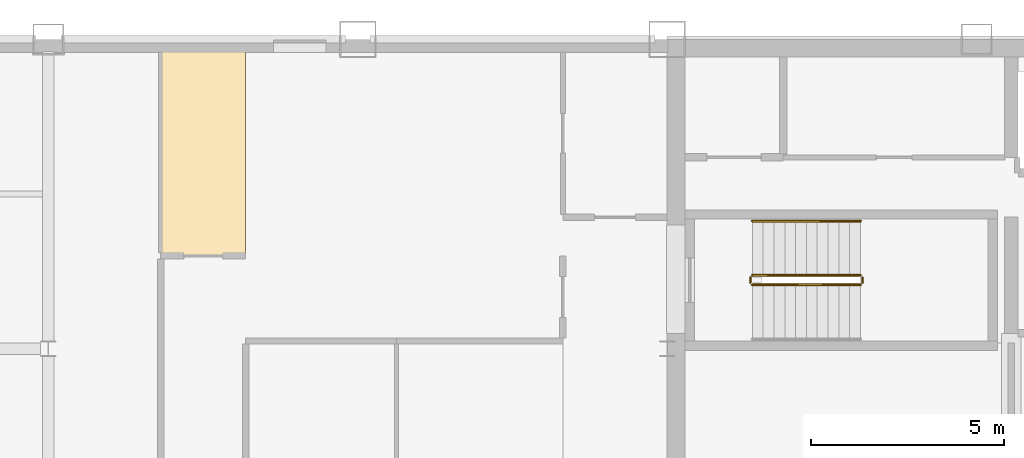
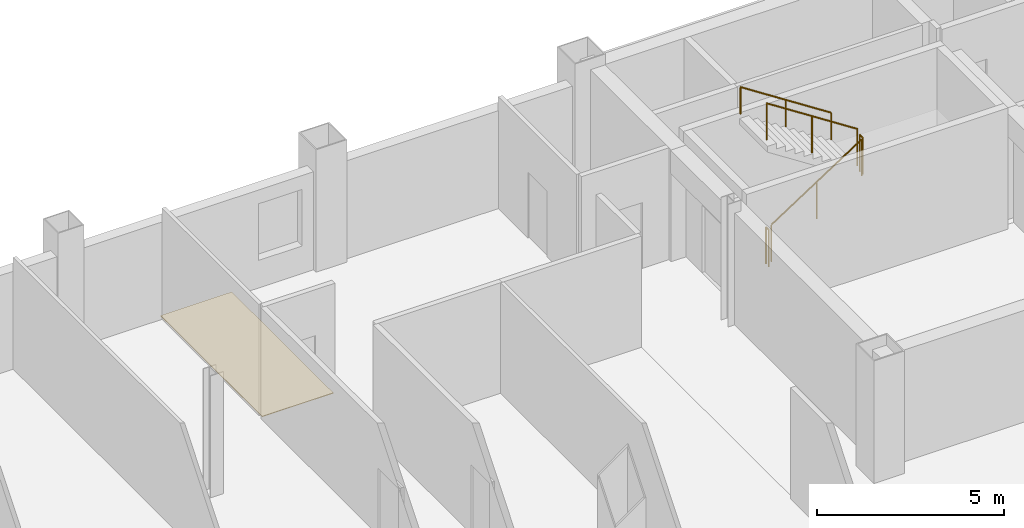
# One storey, part 10 of 11: 5 railings, 1 covering.
"""IFC4 building model written with IfcOpenShell, lengths in metres."""

from ifc_helpers import new_model, si_unit, direction, frame, origin, origin_2d, place, context, subcontext, project, spatial, polyline, circle, outline, extrude, material, layer, layer_set, type_object, element, save


model = new_model("IFC4")

# Units and contexts
model_context = context("Model", 3, precision=1e-05, world=origin(), true_north=direction((0.0, 1.0)))
body_context = subcontext(model_context, "Body", "Model", "MODEL_VIEW")
ifc_project = project(units=[si_unit("LENGTHUNIT", "METRE"), si_unit("AREAUNIT", "SQUARE_METRE"), si_unit("VOLUMEUNIT", "CUBIC_METRE"), si_unit("PLANEANGLEUNIT", "RADIAN"), si_unit("MASSUNIT", "GRAM", prefix="KILO")], contexts=[model_context])

# Site, building, storey
site_placement = place(None, origin())
site = spatial("IfcSite", under=ifc_project, at=site_placement, CompositionType="ELEMENT")
building_placement = place(site_placement, origin())
building = spatial("IfcBuilding", under=site, at=building_placement, Name="Qianrong Seaharbour Tower", CompositionType="ELEMENT")
storey_placement = place(building_placement, frame((0.0, 0.0, 277.800048828125)))
storey = spatial("IfcBuildingStorey", under=building, at=storey_placement, Name="L67", CompositionType="ELEMENT", Elevation=277.800048828125)

# Covering
ifc_material_1 = material(Name="Acoustic modular carpet tile flooring")
ifc_layer = layer(ifc_material_1, 0.02001953125)
ifc_layer_set = layer_set([ifc_layer], Name="Acoustic modular carpet tile flooring")
covering_type = type_object("IfcCoveringType", Name="COV-FLOOR-CARPET-20", PredefinedType="FLOORING", material=ifc_layer_set)
covering_placement = place(storey_placement, origin())
element("IfcCovering", 1, at=covering_placement, inside=storey, type_object=covering_type, Name="L67 Maritime Tribunal Hearing Hall Finish Flooring", PredefinedType="FLOORING", context=body_context, shape_type="SweptSolid", body=[
    extrude(outline(polyline([(29.60009765625, 46.39990234375), (27.39990234375, 46.39990234375), (27.39990234375, 51.8349609375), (29.60009765625, 51.8349609375), (29.60009765625, 46.39990234375)])), origin(), (0.0, 0.0, 1.0), 0.02001953125),
])

# Railings
ifc_material_2 = material(Name="Galvanized painted steel SN400B stair guard", Category="steel")
railing_type_1 = type_object("IfcRailingType", Name="RAIL-STAIR-GUARD-1220", PredefinedType="GUARDRAIL", material=ifc_material_2)
railing_1_placement = place(storey_placement, frame((42.699951171875, 45.64990234375, 0.181884765625)))
element("IfcRailing", 2, at=railing_1_placement, inside=storey, type_object=railing_type_1, Name="L67 ST-1 stair guard 1", PredefinedType="GUARDRAIL", context=body_context, shape_type="SweptSolid", body=[
    extrude(circle(Radius=0.02392578125, at=origin_2d()), frame((0.0, 0.0, 1.19580078125), z_axis=(0.838705829183, 0.0, 0.544584733623), x_axis=(0.0, 1.0, 0.0)), (0.0, 0.0, 1.0), 3.338623046875),
    extrude(circle(Radius=0.02099609375, at=origin_2d()), origin(), (0.0, 0.0, 1.0), 1.171875),
    extrude(circle(Radius=0.02099609375, at=origin_2d()), frame((1.39990234375, 0.0, 0.9091796875)), (0.0, 0.0, 1.0), 1.171875),
    extrude(circle(Radius=0.02099609375, at=origin_2d()), frame((2.800048828125, 0.0, 1.818115234375)), (0.0, 0.0, 1.0), 1.171875),
])
railing_2_placement = place(storey_placement, frame((45.550048828125, 45.699951171875, 2.0)))
element("IfcRailing", 3, at=railing_2_placement, inside=storey, type_object=railing_type_1, Name="L67 ST-1 stair guard 2", PredefinedType="GUARDRAIL", context=body_context, shape_type="SweptSolid", body=[
    extrude(circle(Radius=0.02392578125, at=origin_2d()), frame((0.0, 0.0, 1.19580078125), z_axis=(0.0, 1.0, 0.0), x_axis=(-1.0, 0.0, 0.0)), (0.0, 0.0, 1.0), 0.150146484375),
    extrude(circle(Radius=0.02099609375, at=origin_2d()), origin(), (0.0, 0.0, 1.0), 1.171875),
    extrude(circle(Radius=0.02099609375, at=origin_2d()), frame((0.0, 0.150146484375, 0.0)), (0.0, 0.0, 1.0), 1.171875),
])
railing_3_placement = place(storey_placement, frame((45.5, 45.89990234375, 2.181884765625)))
element("IfcRailing", 4, at=railing_3_placement, inside=storey, type_object=railing_type_1, Name="L67 ST-1 stair guard 3", PredefinedType="GUARDRAIL", context=body_context, shape_type="SweptSolid", body=[
    extrude(circle(Radius=0.02392578125, at=origin_2d()), frame((0.0, 0.0, 1.19580078125), z_axis=(-0.838705829183, 0.0, 0.544584733623), x_axis=(0.0, -1.0, 0.0)), (0.0, 0.0, 1.0), 3.338623046875),
    extrude(circle(Radius=0.02099609375, at=origin_2d()), origin(), (0.0, 0.0, 1.0), 1.171875),
    extrude(circle(Radius=0.02099609375, at=origin_2d()), frame((-1.39990234375, 0.0, 0.9091796875)), (0.0, 0.0, 1.0), 1.171875),
    extrude(circle(Radius=0.02099609375, at=origin_2d()), frame((-2.800048828125, 0.0, 1.818115234375)), (0.0, 0.0, 1.0), 1.171875),
])
railing_4_placement = place(storey_placement, frame((42.64990234375, 45.699951171875, 0.0)))
element("IfcRailing", 5, at=railing_4_placement, inside=storey, type_object=railing_type_1, Name="L67 ST-1 stair guard 4", PredefinedType="GUARDRAIL", context=body_context, shape_type="SweptSolid", body=[
    extrude(circle(Radius=0.02392578125, at=origin_2d()), frame((0.0, 0.0, 1.19580078125), z_axis=(0.0, 1.0, 0.0), x_axis=(-1.0, 0.0, 0.0)), (0.0, 0.0, 1.0), 0.150146484375),
    extrude(circle(Radius=0.02099609375, at=origin_2d()), origin(), (0.0, 0.0, 1.0), 1.171875),
    extrude(circle(Radius=0.02099609375, at=origin_2d()), frame((0.0, 0.150146484375, 0.0)), (0.0, 0.0, 1.0), 1.171875),
])
ifc_material_3 = material(Name="Stainless steel SUS316L continuous handrail", Category="steel")
railing_type_2 = type_object("IfcRailingType", Name="RAIL-STAIR-HANDRAIL-900", PredefinedType="HANDRAIL", material=ifc_material_3)
railing_5_placement = place(storey_placement, frame((45.5, 47.300048828125, 2.181884765625)))
element("IfcRailing", 6, at=railing_5_placement, inside=storey, type_object=railing_type_2, Name="L67 ST-1 stair handrail 2", PredefinedType="HANDRAIL", context=body_context, shape_type="SweptSolid", body=[
    extrude(circle(Radius=0.02392578125, at=origin_2d()), frame((0.0, 0.0, 0.8759765625), z_axis=(-0.838705829183, 0.0, 0.544584733623), x_axis=(0.0, -1.0, 0.0)), (0.0, 0.0, 1.0), 3.338623046875),
    extrude(circle(Radius=0.02099609375, at=origin_2d()), origin(), (0.0, 0.0, 1.0), 0.851806640625),
    extrude(circle(Radius=0.02099609375, at=origin_2d()), frame((-1.39990234375, 0.0, 0.9091796875)), (0.0, 0.0, 1.0), 0.851806640625),
    extrude(circle(Radius=0.02099609375, at=origin_2d()), frame((-2.800048828125, 0.0, 1.818115234375)), (0.0, 0.0, 1.0), 0.851806640625),
])

save(model, "model.ifc")
